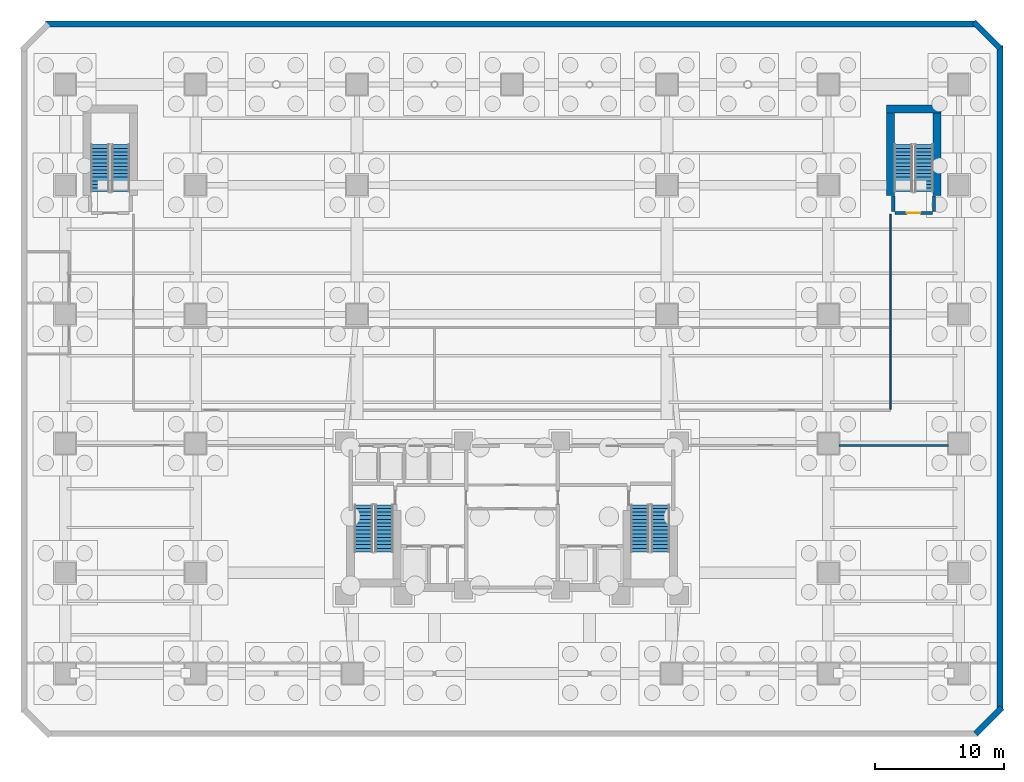
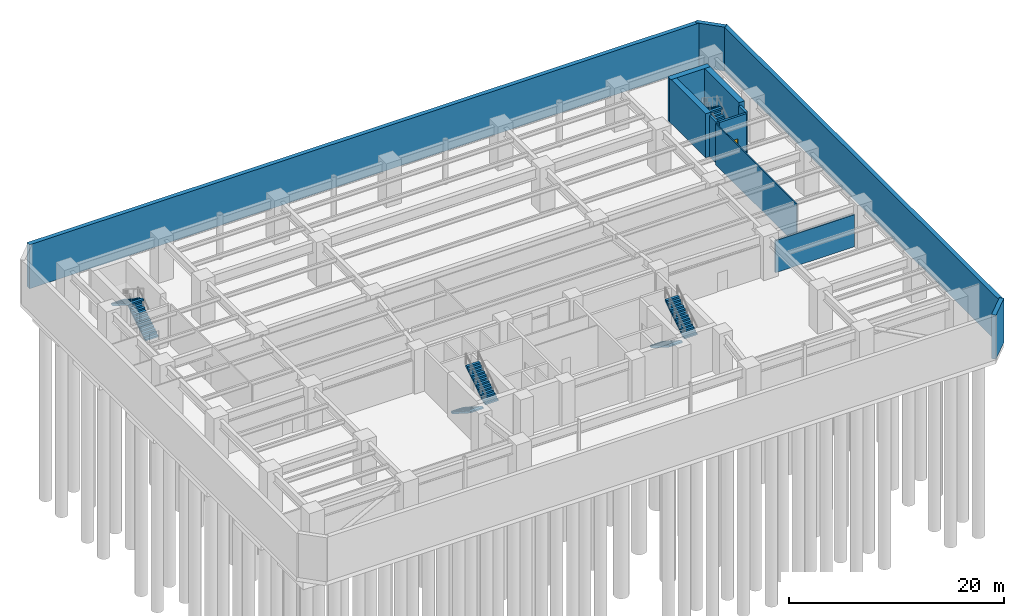
# One storey, part 11 of 15: 12 walls, 8 stair flights, 1 door, 1 opening, 4 elements without a shape of their own.
"""IFC4 building model written with IfcOpenShell, lengths in metres."""

from ifc_helpers import new_model, si_unit, direction, frame, frame_2d, origin, place, context, subcontext, project, spatial, polyline, rectangle, outline, extrude, material, layer, layer_set, type_object, element, fill, aggregate, save


model = new_model("IFC4")

# Units and contexts
model_context = context("Model", 3, precision=1e-05, world=origin(), true_north=direction((0.0, 1.0)))
body_context = subcontext(model_context, "Body", "Model", "MODEL_VIEW")
ifc_project = project(units=[si_unit("LENGTHUNIT", "METRE"), si_unit("AREAUNIT", "SQUARE_METRE"), si_unit("VOLUMEUNIT", "CUBIC_METRE"), si_unit("PLANEANGLEUNIT", "RADIAN"), si_unit("MASSUNIT", "GRAM", prefix="KILO")], contexts=[model_context])

# Site, building, storey
site_placement = place(None, origin())
site = spatial("IfcSite", under=ifc_project, at=site_placement, CompositionType="ELEMENT")
building_placement = place(site_placement, origin())
building = spatial("IfcBuilding", under=site, at=building_placement, Name="Quenlor Broadcast Tower", CompositionType="ELEMENT")
storey_placement = place(building_placement, frame((0.0, 0.0, -10.0)))
storey = spatial("IfcBuildingStorey", under=building, at=storey_placement, Name="B02", CompositionType="ELEMENT", Elevation=-10.0)

# Walls
ifc_material_1 = material(Name="Concrete C50/60", Category="concrete")
ifc_layer_1 = layer(ifc_material_1, 0.449951171875)
ifc_layer_set_1 = layer_set([ifc_layer_1], Name="Basement Concrete C50/60 Retaining Wall 450")
wall_type_1 = type_object("IfcWallType", Name="Basement Concrete C50/60 Retaining Wall 450", PredefinedType="USERDEFINED", material=ifc_layer_set_1)
wall_1_placement = place(storey_placement, frame((-36.1318359375, 27.47509765625, 0.0), z_axis=(0.0, 0.0, 1.0), x_axis=(1.0, 0.0, 0.0)))
element("IfcWall", 1, at=wall_1_placement, inside=storey, type_object=wall_type_1, Name="B02 Perimeter Retaining Wall 4", ObjectType="RETAININGWALL", PredefinedType="USERDEFINED", context=body_context, shape_type="SweptSolid", body=[
    extrude(rectangle(XDim=72.03857421875, YDim=0.449951171875, at=frame_2d((36.019287109375, 0.0))), origin(), (0.0, 0.0, 1.0), 5.0),
])
wall_2_placement = place(storey_placement, frame((35.747802734375, 27.634033203125, 0.0), z_axis=(0.0, 0.0, 1.0), x_axis=(0.707064201066, -0.707149358744, 0.0)))
element("IfcWall", 2, at=wall_2_placement, inside=storey, type_object=wall_type_1, Name="B02 Perimeter Retaining Wall 5", ObjectType="RETAININGWALL", PredefinedType="USERDEFINED", context=body_context, shape_type="SweptSolid", body=[
    extrude(rectangle(XDim=2.866943359375, YDim=0.449951171875, at=frame_2d((1.43359375, 0.0))), origin(), (0.0, 0.0, 1.0), 5.0),
])
wall_3_placement = place(storey_placement, frame((37.77490234375, 25.831787109375, 0.0), z_axis=(0.0, 0.0, 1.0), x_axis=(0.0, -1.0, 0.0)))
element("IfcWall", 3, at=wall_3_placement, inside=storey, type_object=wall_type_1, Name="B02 Perimeter Retaining Wall 6", ObjectType="RETAININGWALL", PredefinedType="USERDEFINED", context=body_context, shape_type="SweptSolid", body=[
    extrude(rectangle(XDim=51.4384765625, YDim=0.449951171875, at=frame_2d((25.71923828125, 0.0))), origin(), (0.0, 0.0, 1.0), 5.0),
])
wall_4_placement = place(storey_placement, frame((37.93408203125, -25.44775390625, 0.0), z_axis=(0.0, 0.0, 1.0), x_axis=(-0.707106781187, -0.707106781187, 0.0)))
element("IfcWall", 4, at=wall_4_placement, inside=storey, type_object=wall_type_1, Name="B02 Perimeter Retaining Wall 7", ObjectType="RETAININGWALL", PredefinedType="USERDEFINED", context=body_context, shape_type="SweptSolid", body=[
    extrude(rectangle(XDim=2.8671875, YDim=0.449951171875, at=frame_2d((1.43359375, 0.0))), origin(), (0.0, 0.0, 1.0), 5.0),
])
ifc_material_2 = material(Name="Concrete C65/80", Category="concrete")
ifc_layer_2 = layer(ifc_material_2, 0.60009765625)
ifc_layer_set_2 = layer_set([ifc_layer_2], Name="Core Concrete C65/80 Shear Wall 600")
wall_type_2 = type_object("IfcWallType", Name="Core Concrete C65/80 Shear Wall 600", PredefinedType="SHEAR", material=ifc_layer_set_2)
wall_5_placement = place(storey_placement, frame((29.0, 20.89990234375, 0.0), z_axis=(0.0, 0.0, 1.0), x_axis=(1.0, 0.0, 0.0)))
element("IfcWall", 5, at=wall_5_placement, inside=storey, type_object=wall_type_2, Name="B02 Core Shear Wall ST4-N", PredefinedType="SHEAR", context=body_context, shape_type="SweptSolid", body=[
    extrude(rectangle(XDim=4.199951171875, YDim=0.60009765625, at=frame_2d((2.10009765625, 0.0))), origin(), (0.0, 0.0, 1.0), 5.0),
])
for number, where, z_axis, x_axis, name in (
    (6, (29.300048828125, 14.199951171875, 0.0), (0.0, 0.0, 1.0), (0.0, 1.0, 0.0), "B02 Core Shear Wall ST4-W"),
    (7, (32.89990234375, 14.199951171875, 0.0), (0.0, 0.0, 1.0), (0.0, 1.0, 0.0), "B02 Core Shear Wall ST4-E"),
):
    element("IfcWall", number, at=place(storey_placement, frame(where, z_axis=z_axis, x_axis=x_axis)), inside=storey, type_object=wall_type_2, Name=name, PredefinedType="SHEAR", context=body_context, shape_type="SweptSolid", body=[
        extrude(rectangle(XDim=6.699951171875, YDim=0.60009765625, at=frame_2d((3.35009765625, 0.0))), origin(), (0.0, 0.0, 1.0), 5.0),
    ])

# Wall, opening, door
ifc_material_3 = material(Name="Concrete C40/50", Category="concrete")
ifc_layer_3 = layer(ifc_material_3, 0.25)
ifc_layer_set_3 = layer_set([ifc_layer_3], Name="Fire Rated Concrete C40/50 Core Wall 250")
wall_type_3 = type_object("IfcWallType", Name="Fire Rated Concrete C40/50 Core Wall 250", PredefinedType="PARTITIONING", material=ifc_layer_set_3)
wall_6_placement = place(storey_placement, frame((29.64990234375, 12.840087890625, 0.0), z_axis=(0.0, 0.0, 1.0), x_axis=(1.0, 0.0, 0.0)))
wall_6 = element("IfcWall", 8, at=wall_6_placement, inside=storey, type_object=wall_type_3, Name="B02 Interior Wall CW-ST4-S", PredefinedType="PARTITIONING", context=body_context, shape_type="SweptSolid", body=[
    extrude(rectangle(XDim=2.900146484375, YDim=0.25, at=frame_2d((1.4501953125, 0.0))), origin(), (0.0, 0.0, 1.0), 4.679931640625),
])
opening_placement = place(wall_6_placement, frame((0.919921875, 0.0, 0.0)))
opening = element("IfcOpeningElement", 9, at=opening_placement, cuts=wall_6, Name="Opening FD-1", PredefinedType="OPENING", context=body_context, shape_type="SweptSolid", body=[
    extrude(rectangle(XDim=1.050048828125, YDim=2.14990234375, at=frame_2d((0.52490234375, 1.074951171875))), frame((0.0, 0.135009765625, 0.0), z_axis=(0.0, -1.0, 0.0), x_axis=(1.0, 0.0, 0.0)), (0.0, 0.0, 1.0), 0.27001953125),
])
ifc_material_4 = material(Name="Fire Rated Steel Door Leaf", Category="steel")
door_type = type_object("IfcDoorType", Name="Fire Isolated Stair Door 1050x2150", OperationType="NOTDEFINED", PredefinedType="DOOR", material=ifc_material_4)
door_placement = place(opening_placement, origin())
door = element("IfcDoor", 10, at=door_placement, inside=storey, type_object=door_type, Name="B02 Door DR-ST4", OperationType="SINGLE_SWING_RIGHT", OverallHeight=2.14990234375, OverallWidth=1.050048828125, PredefinedType="DOOR", context=body_context, shape_type="SweptSolid", body=[
    extrude(rectangle(XDim=1.050048828125, YDim=2.14990234375, at=frame_2d((0.52490234375, 1.074951171875))), frame((0.0, 0.02490234375, 0.0), z_axis=(0.0, -1.0, 0.0), x_axis=(1.0, 0.0, 0.0)), (0.0, 0.0, 1.0), 0.050048828125),
])
fill(opening, door)

# Walls
for number, where, z_axis, x_axis, name in (
    (11, (29.52001953125, 12.9599609375, 0.0), (0.0, 0.0, 1.0), (0.0, 1.0, 0.0), "B02 Interior Wall CW-ST4-W1"),
    (12, (32.679931640625, 12.9599609375, 0.0), (0.0, 0.0, 1.0), (0.0, 1.0, 0.0), "B02 Interior Wall CW-ST4-E1"),
):
    element("IfcWall", number, at=place(storey_placement, frame(where, z_axis=z_axis, x_axis=x_axis)), inside=storey, type_object=wall_type_3, Name=name, PredefinedType="PARTITIONING", context=body_context, shape_type="SweptSolid", body=[
        extrude(rectangle(XDim=1.219970703125, YDim=0.25, at=frame_2d((0.60986328125, 0.0))), origin(), (0.0, 0.0, 1.0), 4.679931640625),
    ])
ifc_material_5 = material(Name="Gypsum Fireboard Partition", Category="other")
ifc_layer_4 = layer(ifc_material_5, 0.159912109375)
ifc_layer_set_4 = layer_set([ifc_layer_4], Name="Fire Rated Shaft and Corridor Partition 160")
wall_type_4 = type_object("IfcWallType", Name="Fire Rated Shaft and Corridor Partition 160", PredefinedType="PARTITIONING", material=ifc_layer_set_4)
wall_7_placement = place(storey_placement, frame((25.302001953125, -5.14990234375, 0.0), z_axis=(0.0, 0.0, 1.0), x_axis=(1.0, 0.0, 0.0)))
element("IfcWall", 13, at=wall_7_placement, inside=storey, type_object=wall_type_4, Name="B02 Interior Wall PW-PD-CSES2", PredefinedType="PARTITIONING", context=body_context, shape_type="SweptSolid", body=[
    extrude(rectangle(XDim=8.49609375, YDim=0.159912109375, at=frame_2d((4.248046875, 0.0))), origin(), (0.0, 0.0, 1.0), 3.656005859375),
])
ifc_material_6 = material(Name="Gypsum Plasterboard Partition", Category="other")
ifc_layer_5 = layer(ifc_material_6, 0.1201171875)
ifc_layer_set_5 = layer_set([ifc_layer_5], Name="Standard Office Partition 120")
wall_type_5 = type_object("IfcWallType", Name="Standard Office Partition 120", PredefinedType="PARTITIONING", material=ifc_layer_set_5)
wall_8_placement = place(storey_placement, frame((29.300048828125, -2.337890625, 0.0), z_axis=(0.0, 0.0, 1.0), x_axis=(0.0, 1.0, 0.0)))
element("IfcWall", 14, at=wall_8_placement, inside=storey, type_object=wall_type_5, Name="B02 Interior Wall PW-PD-LE", PredefinedType="PARTITIONING", context=body_context, shape_type="SweptSolid", body=[
    extrude(rectangle(XDim=15.087890625, YDim=0.1201171875, at=frame_2d((7.5439453125, 0.0))), origin(), (0.0, 0.0, 1.0), 4.679931640625),
])

# Stair, stair flights
ifc_material_7 = material(Name="Precast concrete C40/50", Category="concrete")
stair_type = type_object("IfcStairType", Name="Precast Concrete C40/50 Dogleg Stair H500", PredefinedType="HALF_TURN_STAIR", material=ifc_material_7)
stair_1_placement = place(storey_placement, origin())
stair_1 = element("IfcStair", 15, at=stair_1_placement, inside=storey, type_object=stair_type, Name="B02 West Core Fire-Isolated Exit Stair ST-1", PredefinedType="HALF_TURN_STAIR")
ifc_material_8 = material(Name="Precast concrete C40/50", Category="concrete")
ifc_layer_6 = layer(ifc_material_8, 0.18505859375)
ifc_layer_set_6 = layer_set([ifc_layer_6], Name="Precast Concrete C40/50 Stair Flight H500")
stair_flight_type = type_object("IfcStairFlightType", Name="Precast Concrete C40/50 Stair Flight H500", PredefinedType="STRAIGHT", material=ifc_layer_set_6)
stair_flight_1_placement = place(storey_placement, frame((-11.5, -9.75, 0.0), z_axis=(0.0, 0.0, 1.0), x_axis=(0.0, -1.0, 0.0)))
stair_flight_1 = element("IfcStairFlight", 16, at=stair_flight_1_placement, type_object=stair_flight_type, Name="ST-1 flight 1", NumberOfRisers=14, NumberOfTreads=13, PredefinedType="STRAIGHT", RiserHeight=0.178571429, TreadLength=0.28, context=body_context, shape_type="SweptSolid", body=[
    extrude(outline(polyline([(0.0, 0.0), (0.0, 0.178466796875), (0.280029296875, 0.178466796875), (0.280029296875, 0.357177734375), (0.56005859375, 0.357177734375), (0.56005859375, 0.53564453125), (0.840087890625, 0.53564453125), (0.840087890625, 0.71435546875), (1.1201171875, 0.71435546875), (1.1201171875, 0.892822265625), (1.39990234375, 0.892822265625), (1.39990234375, 1.071533203125), (1.679931640625, 1.071533203125), (1.679931640625, 1.25), (1.9599609375, 1.25), (1.9599609375, 1.428466796875), (2.239990234375, 1.428466796875), (2.239990234375, 1.607177734375), (2.52001953125, 1.607177734375), (2.52001953125, 1.78564453125), (2.800048828125, 1.78564453125), (2.800048828125, 1.96435546875), (3.080078125, 1.96435546875), (3.080078125, 2.142822265625), (3.360107421875, 2.142822265625), (3.360107421875, 2.321533203125), (3.639892578125, 2.321533203125), (3.639892578125, 2.5), (3.639892578125, 2.1435546875), (0.27880859375, 0.0), (0.0, 0.0)])), frame((0.0, 0.699951171875, 0.0), z_axis=(0.0, -1.0, 0.0), x_axis=(1.0, 0.0, 0.0)), (0.0, 0.0, 1.0), 1.39990234375),
])
stair_flight_2_placement = place(storey_placement, frame((-9.89990234375, -13.389892578125, 2.5), z_axis=(0.0, 0.0, 1.0), x_axis=(0.0, 1.0, 0.0)))
stair_flight_2 = element("IfcStairFlight", 17, at=stair_flight_2_placement, type_object=stair_flight_type, Name="ST-1 flight 2", NumberOfRisers=14, NumberOfTreads=13, PredefinedType="STRAIGHT", RiserHeight=0.178571429, TreadLength=0.28, context=body_context, shape_type="SweptSolid", body=[
    extrude(outline(polyline([(0.0, 0.0), (0.0, 0.178466796875), (0.280029296875, 0.178466796875), (0.280029296875, 0.357177734375), (0.56005859375, 0.357177734375), (0.56005859375, 0.53564453125), (0.840087890625, 0.53564453125), (0.840087890625, 0.71435546875), (1.1201171875, 0.71435546875), (1.1201171875, 0.892822265625), (1.39990234375, 0.892822265625), (1.39990234375, 1.071533203125), (1.679931640625, 1.071533203125), (1.679931640625, 1.25), (1.9599609375, 1.25), (1.9599609375, 1.428466796875), (2.239990234375, 1.428466796875), (2.239990234375, 1.607177734375), (2.52001953125, 1.607177734375), (2.52001953125, 1.78564453125), (2.800048828125, 1.78564453125), (2.800048828125, 1.96435546875), (3.080078125, 1.96435546875), (3.080078125, 2.142822265625), (3.360107421875, 2.142822265625), (3.360107421875, 2.321533203125), (3.639892578125, 2.321533203125), (3.639892578125, 2.5), (3.639892578125, 2.1435546875), (0.27880859375, 0.0), (0.0, 0.0)])), frame((0.0, 0.699951171875, 0.0), z_axis=(0.0, -1.0, 0.0), x_axis=(1.0, 0.0, 0.0)), (0.0, 0.0, 1.0), 1.39990234375),
])
aggregate(stair_1, [stair_flight_1, stair_flight_2])

stair_2_placement = place(storey_placement, origin())
stair_2 = element("IfcStair", 18, at=stair_2_placement, inside=storey, type_object=stair_type, Name="B02 East Core Fire-Isolated Exit Stair ST-2", PredefinedType="HALF_TURN_STAIR")
stair_flight_3_placement = place(storey_placement, frame((9.89990234375, -9.75, 0.0), z_axis=(0.0, 0.0, 1.0), x_axis=(0.0, -1.0, 0.0)))
stair_flight_3 = element("IfcStairFlight", 19, at=stair_flight_3_placement, type_object=stair_flight_type, Name="ST-2 flight 1", NumberOfRisers=14, NumberOfTreads=13, PredefinedType="STRAIGHT", RiserHeight=0.178571429, TreadLength=0.28, context=body_context, shape_type="SweptSolid", body=[
    extrude(outline(polyline([(0.0, 0.0), (0.0, 0.178466796875), (0.280029296875, 0.178466796875), (0.280029296875, 0.357177734375), (0.56005859375, 0.357177734375), (0.56005859375, 0.53564453125), (0.840087890625, 0.53564453125), (0.840087890625, 0.71435546875), (1.1201171875, 0.71435546875), (1.1201171875, 0.892822265625), (1.39990234375, 0.892822265625), (1.39990234375, 1.071533203125), (1.679931640625, 1.071533203125), (1.679931640625, 1.25), (1.9599609375, 1.25), (1.9599609375, 1.428466796875), (2.239990234375, 1.428466796875), (2.239990234375, 1.607177734375), (2.52001953125, 1.607177734375), (2.52001953125, 1.78564453125), (2.800048828125, 1.78564453125), (2.800048828125, 1.96435546875), (3.080078125, 1.96435546875), (3.080078125, 2.142822265625), (3.360107421875, 2.142822265625), (3.360107421875, 2.321533203125), (3.639892578125, 2.321533203125), (3.639892578125, 2.5), (3.639892578125, 2.1435546875), (0.27880859375, 0.0), (0.0, 0.0)])), frame((0.0, 0.699951171875, 0.0), z_axis=(0.0, -1.0, 0.0), x_axis=(1.0, 0.0, 0.0)), (0.0, 0.0, 1.0), 1.39990234375),
])
stair_flight_4_placement = place(storey_placement, frame((11.5, -13.389892578125, 2.5), z_axis=(0.0, 0.0, 1.0), x_axis=(0.0, 1.0, 0.0)))
stair_flight_4 = element("IfcStairFlight", 20, at=stair_flight_4_placement, type_object=stair_flight_type, Name="ST-2 flight 2", NumberOfRisers=14, NumberOfTreads=13, PredefinedType="STRAIGHT", RiserHeight=0.178571429, TreadLength=0.28, context=body_context, shape_type="SweptSolid", body=[
    extrude(outline(polyline([(0.0, 0.0), (0.0, 0.178466796875), (0.280029296875, 0.178466796875), (0.280029296875, 0.357177734375), (0.56005859375, 0.357177734375), (0.56005859375, 0.53564453125), (0.840087890625, 0.53564453125), (0.840087890625, 0.71435546875), (1.1201171875, 0.71435546875), (1.1201171875, 0.892822265625), (1.39990234375, 0.892822265625), (1.39990234375, 1.071533203125), (1.679931640625, 1.071533203125), (1.679931640625, 1.25), (1.9599609375, 1.25), (1.9599609375, 1.428466796875), (2.239990234375, 1.428466796875), (2.239990234375, 1.607177734375), (2.52001953125, 1.607177734375), (2.52001953125, 1.78564453125), (2.800048828125, 1.78564453125), (2.800048828125, 1.96435546875), (3.080078125, 1.96435546875), (3.080078125, 2.142822265625), (3.360107421875, 2.142822265625), (3.360107421875, 2.321533203125), (3.639892578125, 2.321533203125), (3.639892578125, 2.5), (3.639892578125, 2.1435546875), (0.27880859375, 0.0), (0.0, 0.0)])), frame((0.0, 0.699951171875, 0.0), z_axis=(0.0, -1.0, 0.0), x_axis=(1.0, 0.0, 0.0)), (0.0, 0.0, 1.0), 1.39990234375),
])
aggregate(stair_2, [stair_flight_3, stair_flight_4])

stair_3_placement = place(storey_placement, origin())
stair_3 = element("IfcStair", 21, at=stair_3_placement, inside=storey, type_object=stair_type, Name="B02 Station Podium North-West Exit Stair ST-3", PredefinedType="HALF_TURN_STAIR")
stair_flight_5_placement = place(storey_placement, frame((-30.300048828125, 14.5, 0.0), z_axis=(0.0, 0.0, 1.0), x_axis=(0.0, 1.0, 0.0)))
stair_flight_5 = element("IfcStairFlight", 22, at=stair_flight_5_placement, type_object=stair_flight_type, Name="ST-3 flight 1", NumberOfRisers=14, NumberOfTreads=13, PredefinedType="STRAIGHT", RiserHeight=0.178571429, TreadLength=0.28, context=body_context, shape_type="SweptSolid", body=[
    extrude(outline(polyline([(0.0, 0.0), (0.0, 0.178466796875), (0.280029296875, 0.178466796875), (0.280029296875, 0.357177734375), (0.56005859375, 0.357177734375), (0.56005859375, 0.53564453125), (0.840087890625, 0.53564453125), (0.840087890625, 0.71435546875), (1.1201171875, 0.71435546875), (1.1201171875, 0.892822265625), (1.39990234375, 0.892822265625), (1.39990234375, 1.071533203125), (1.679931640625, 1.071533203125), (1.679931640625, 1.25), (1.9599609375, 1.25), (1.9599609375, 1.428466796875), (2.239990234375, 1.428466796875), (2.239990234375, 1.607177734375), (2.52001953125, 1.607177734375), (2.52001953125, 1.78564453125), (2.800048828125, 1.78564453125), (2.800048828125, 1.96435546875), (3.080078125, 1.96435546875), (3.080078125, 2.142822265625), (3.360107421875, 2.142822265625), (3.360107421875, 2.321533203125), (3.639892578125, 2.321533203125), (3.639892578125, 2.5), (3.639892578125, 2.1435546875), (0.27880859375, 0.0), (0.0, 0.0)])), frame((0.0, 0.699951171875, 0.0), z_axis=(0.0, -1.0, 0.0), x_axis=(1.0, 0.0, 0.0)), (0.0, 0.0, 1.0), 1.39990234375),
])
stair_flight_6_placement = place(storey_placement, frame((-31.89990234375, 18.139892578125, 2.5), z_axis=(0.0, 0.0, 1.0), x_axis=(0.0, -1.0, 0.0)))
stair_flight_6 = element("IfcStairFlight", 23, at=stair_flight_6_placement, type_object=stair_flight_type, Name="ST-3 flight 2", NumberOfRisers=14, NumberOfTreads=13, PredefinedType="STRAIGHT", RiserHeight=0.178571429, TreadLength=0.28, context=body_context, shape_type="SweptSolid", body=[
    extrude(outline(polyline([(0.0, 0.0), (0.0, 0.178466796875), (0.280029296875, 0.178466796875), (0.280029296875, 0.357177734375), (0.56005859375, 0.357177734375), (0.56005859375, 0.53564453125), (0.840087890625, 0.53564453125), (0.840087890625, 0.71435546875), (1.1201171875, 0.71435546875), (1.1201171875, 0.892822265625), (1.39990234375, 0.892822265625), (1.39990234375, 1.071533203125), (1.679931640625, 1.071533203125), (1.679931640625, 1.25), (1.9599609375, 1.25), (1.9599609375, 1.428466796875), (2.239990234375, 1.428466796875), (2.239990234375, 1.607177734375), (2.52001953125, 1.607177734375), (2.52001953125, 1.78564453125), (2.800048828125, 1.78564453125), (2.800048828125, 1.96435546875), (3.080078125, 1.96435546875), (3.080078125, 2.142822265625), (3.360107421875, 2.142822265625), (3.360107421875, 2.321533203125), (3.639892578125, 2.321533203125), (3.639892578125, 2.5), (3.639892578125, 2.1435546875), (0.27880859375, 0.0), (0.0, 0.0)])), frame((0.0, 0.699951171875, 0.0), z_axis=(0.0, -1.0, 0.0), x_axis=(1.0, 0.0, 0.0)), (0.0, 0.0, 1.0), 1.39990234375),
])
aggregate(stair_3, [stair_flight_5, stair_flight_6])

stair_4_placement = place(storey_placement, origin())
stair_4 = element("IfcStair", 24, at=stair_4_placement, inside=storey, type_object=stair_type, Name="B02 Station Podium North-East Exit Stair ST-4", PredefinedType="HALF_TURN_STAIR")
stair_flight_7_placement = place(storey_placement, frame((31.89990234375, 14.5, 0.0), z_axis=(0.0, 0.0, 1.0), x_axis=(0.0, 1.0, 0.0)))
stair_flight_7 = element("IfcStairFlight", 25, at=stair_flight_7_placement, type_object=stair_flight_type, Name="ST-4 flight 1", NumberOfRisers=14, NumberOfTreads=13, PredefinedType="STRAIGHT", RiserHeight=0.178571429, TreadLength=0.28, context=body_context, shape_type="SweptSolid", body=[
    extrude(outline(polyline([(0.0, 0.0), (0.0, 0.178466796875), (0.280029296875, 0.178466796875), (0.280029296875, 0.357177734375), (0.56005859375, 0.357177734375), (0.56005859375, 0.53564453125), (0.840087890625, 0.53564453125), (0.840087890625, 0.71435546875), (1.1201171875, 0.71435546875), (1.1201171875, 0.892822265625), (1.39990234375, 0.892822265625), (1.39990234375, 1.071533203125), (1.679931640625, 1.071533203125), (1.679931640625, 1.25), (1.9599609375, 1.25), (1.9599609375, 1.428466796875), (2.239990234375, 1.428466796875), (2.239990234375, 1.607177734375), (2.52001953125, 1.607177734375), (2.52001953125, 1.78564453125), (2.800048828125, 1.78564453125), (2.800048828125, 1.96435546875), (3.080078125, 1.96435546875), (3.080078125, 2.142822265625), (3.360107421875, 2.142822265625), (3.360107421875, 2.321533203125), (3.639892578125, 2.321533203125), (3.639892578125, 2.5), (3.639892578125, 2.1435546875), (0.27880859375, 0.0), (0.0, 0.0)])), frame((0.0, 0.699951171875, 0.0), z_axis=(0.0, -1.0, 0.0), x_axis=(1.0, 0.0, 0.0)), (0.0, 0.0, 1.0), 1.39990234375),
])
stair_flight_8_placement = place(storey_placement, frame((30.300048828125, 18.139892578125, 2.5), z_axis=(0.0, 0.0, 1.0), x_axis=(0.0, -1.0, 0.0)))
stair_flight_8 = element("IfcStairFlight", 26, at=stair_flight_8_placement, type_object=stair_flight_type, Name="ST-4 flight 2", NumberOfRisers=14, NumberOfTreads=13, PredefinedType="STRAIGHT", RiserHeight=0.178571429, TreadLength=0.28, context=body_context, shape_type="SweptSolid", body=[
    extrude(outline(polyline([(0.0, 0.0), (0.0, 0.178466796875), (0.280029296875, 0.178466796875), (0.280029296875, 0.357177734375), (0.56005859375, 0.357177734375), (0.56005859375, 0.53564453125), (0.840087890625, 0.53564453125), (0.840087890625, 0.71435546875), (1.1201171875, 0.71435546875), (1.1201171875, 0.892822265625), (1.39990234375, 0.892822265625), (1.39990234375, 1.071533203125), (1.679931640625, 1.071533203125), (1.679931640625, 1.25), (1.9599609375, 1.25), (1.9599609375, 1.428466796875), (2.239990234375, 1.428466796875), (2.239990234375, 1.607177734375), (2.52001953125, 1.607177734375), (2.52001953125, 1.78564453125), (2.800048828125, 1.78564453125), (2.800048828125, 1.96435546875), (3.080078125, 1.96435546875), (3.080078125, 2.142822265625), (3.360107421875, 2.142822265625), (3.360107421875, 2.321533203125), (3.639892578125, 2.321533203125), (3.639892578125, 2.5), (3.639892578125, 2.1435546875), (0.27880859375, 0.0), (0.0, 0.0)])), frame((0.0, 0.699951171875, 0.0), z_axis=(0.0, -1.0, 0.0), x_axis=(1.0, 0.0, 0.0)), (0.0, 0.0, 1.0), 1.39990234375),
])
aggregate(stair_4, [stair_flight_7, stair_flight_8])

save(model, "model.ifc")
